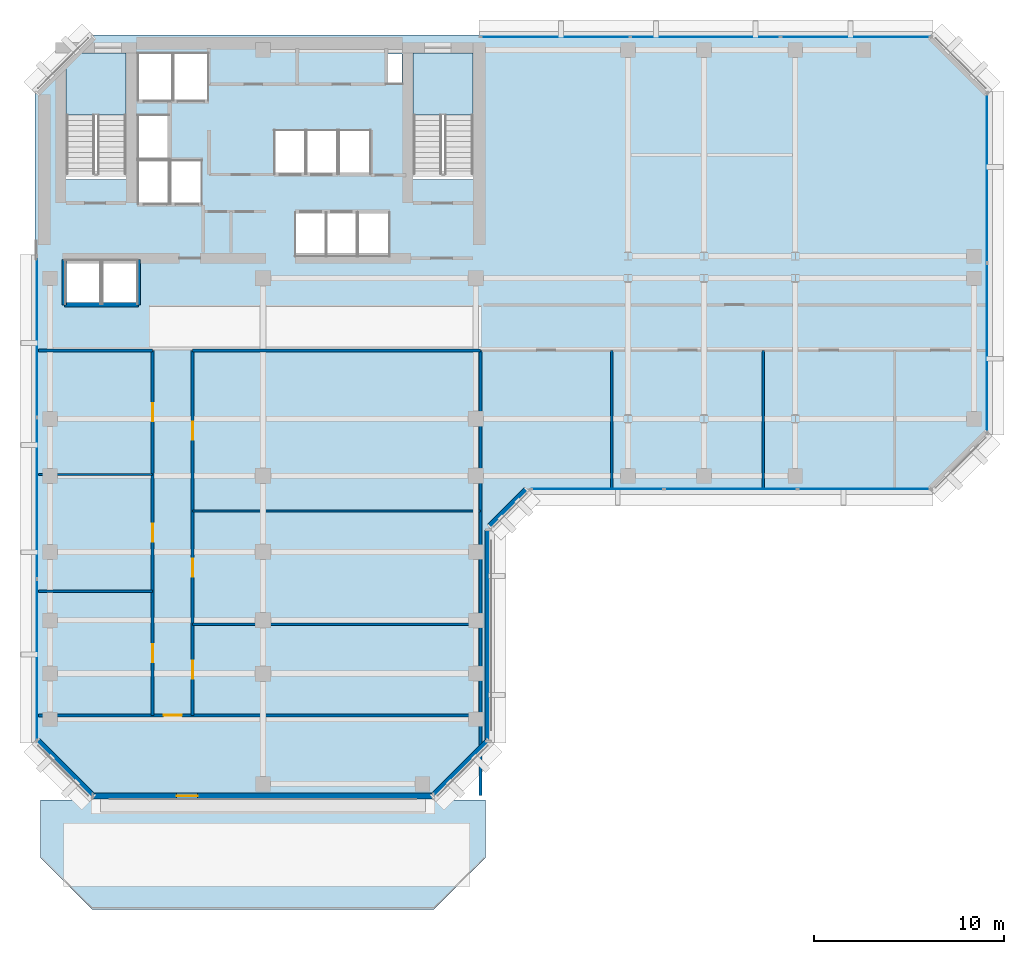
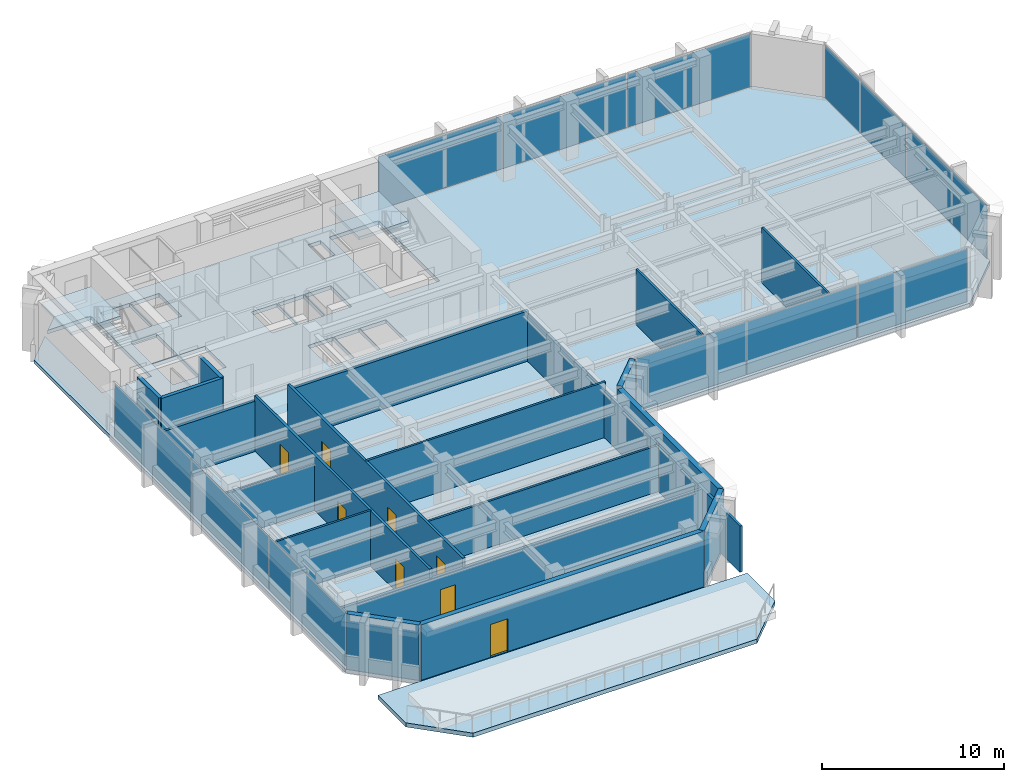
# One storey, part 6 of 11: 20 walls, 11 plates, 8 doors, 4 slabs, 8 openings, 6 elements without a shape of their own.
"""IFC4 building model written with IfcOpenShell, lengths in metres."""

from ifc_helpers import new_model, si_unit, direction, frame, frame_2d, origin, origin_2d, place, context, subcontext, project, spatial, polyline, rectangle, outline, extrude, material, layer, layer_set, type_object, element, fill, aggregate, save


model = new_model("IFC4")

# Units and contexts
model_context = context("Model", 3, precision=1e-05, world=origin(), true_north=direction((0.0, 1.0)))
body_context = subcontext(model_context, "Body", "Model", "MODEL_VIEW")
ifc_project = project(units=[si_unit("LENGTHUNIT", "METRE"), si_unit("AREAUNIT", "SQUARE_METRE"), si_unit("VOLUMEUNIT", "CUBIC_METRE"), si_unit("PLANEANGLEUNIT", "RADIAN"), si_unit("MASSUNIT", "GRAM", prefix="KILO")], contexts=[model_context])

# Site, building, storey
site_placement = place(None, origin())
site = spatial("IfcSite", under=ifc_project, at=site_placement, CompositionType="ELEMENT")
building_placement = place(site_placement, origin())
building = spatial("IfcBuilding", under=site, at=building_placement, Name="Kefirva Bronze Tower", CompositionType="ELEMENT")
storey_placement = place(building_placement, frame((0.0, 0.0, 191.39990234375)))
storey = spatial("IfcBuildingStorey", under=building, at=storey_placement, Name="L46", CompositionType="ELEMENT", Elevation=191.39990234375)

# Slab
ifc_material_1 = material(Name="Concrete C40/50", Category="concrete")
ifc_layer_1 = layer(ifc_material_1, 0.280029296875, Name="Concrete C40/50")
ifc_layer_set_1 = layer_set([ifc_layer_1], Name="Concrete C40/50")
slab_type_1 = type_object("IfcSlabType", Name="RC Setback Sky-Garden Terrace Slab 280mm", PredefinedType="ROOF", material=ifc_layer_set_1)
slab_1_placement = place(storey_placement, frame((0.0, 0.0, -0.27978515625)))
element("IfcSlab", 1, at=slab_1_placement, inside=storey, type_object=slab_type_1, Name="L46 Planted Sky-Garden Terrace Slab", PredefinedType="ROOF", context=body_context, shape_type="SweptSolid", body=[
    extrude(outline(polyline([(3.0, 0.0), (21.0, 0.0), (23.699951171875, 2.699951171875), (23.699951171875, 5.75), (0.300048828125, 5.75), (0.300048828125, 2.699951171875), (3.0, 0.0)])), origin(), (0.0, 0.0, 1.0), 0.27978515625),
])

# Stair, slab
stair_type = type_object("IfcStairType", Name="RC Dogleg Protected Stair 24R", PredefinedType="HALF_TURN_STAIR", material=ifc_material_1)
stair_1_placement = place(storey_placement, origin())
stair_1 = element("IfcStair", 2, at=stair_1_placement, inside=storey, type_object=stair_type, Name="L46 Protected Exit Stair 1", PredefinedType="HALF_TURN_STAIR")
ifc_layer_2 = layer(ifc_material_1, 0.199951171875, Name="Concrete C40/50")
ifc_layer_set_2 = layer_set([ifc_layer_2], Name="Concrete C40/50")
slab_type_2 = type_object("IfcSlabType", Name="RC Stair Landing Slab 200mm", PredefinedType="LANDING", material=ifc_layer_set_2)
slab_2_placement = place(storey_placement, frame((0.0, 0.0, 1.780029296875)))
slab_2 = element("IfcSlab", 3, at=slab_2_placement, type_object=slab_type_2, Name="ST-1 landing 1", PredefinedType="LANDING", context=body_context, shape_type="SweptSolid", body=[
    extrude(outline(polyline([(4.800048828125, 41.780029296875), (4.800048828125, 45.050048828125), (1.64990234375, 45.050048828125), (1.64990234375, 41.780029296875), (4.800048828125, 41.780029296875)])), origin(), (0.0, 0.0, 1.0), 0.199951171875),
])
aggregate(stair_1, [slab_2])

stair_2_placement = place(storey_placement, origin())
stair_2 = element("IfcStair", 4, at=stair_2_placement, inside=storey, type_object=stair_type, Name="L46 Protected Exit Stair 2", PredefinedType="HALF_TURN_STAIR")
slab_3_placement = place(storey_placement, frame((0.0, 0.0, 1.780029296875)))
slab_3 = element("IfcSlab", 5, at=slab_3_placement, type_object=slab_type_2, Name="ST-2 landing 1", PredefinedType="LANDING", context=body_context, shape_type="SweptSolid", body=[
    extrude(outline(polyline([(23.050048828125, 41.780029296875), (23.050048828125, 45.050048828125), (19.89990234375, 45.050048828125), (19.89990234375, 41.780029296875), (23.050048828125, 41.780029296875)])), origin(), (0.0, 0.0, 1.0), 0.199951171875),
])
aggregate(stair_2, [slab_3])

# Slab
ifc_layer_3 = layer(ifc_material_1, 0.25, Name="Concrete C40/50")
ifc_layer_set_3 = layer_set([ifc_layer_3], Name="Concrete C40/50")
slab_type_3 = type_object("IfcSlabType", Name="RC Tower Floor Slab 250mm", PredefinedType="FLOOR", material=ifc_layer_set_3)
slab_4_placement = place(storey_placement, frame((0.0, 0.0, -0.25)))
element("IfcSlab", 6, at=slab_4_placement, inside=storey, type_object=slab_type_3, Name="L46 Structural Floor Slab", PredefinedType="FLOOR", context=body_context, shape_type="SweptSolid", body=[
    extrude(outline(polyline([(0.0, 8.800048828125), (0.0, 43.0), (1.64990234375, 44.64990234375), (1.64990234375, 38.39990234375), (4.800048828125, 38.39990234375), (4.800048828125, 45.050048828125), (2.050048828125, 45.050048828125), (3.0, 46.0), (47.199951171875, 46.0), (50.199951171875, 43.0), (50.199951171875, 25.0), (47.199951171875, 22.0), (26.0, 22.0), (24.0, 20.0), (24.0, 8.800048828125), (21.0, 5.800048828125), (3.0, 5.800048828125), (0.0, 8.800048828125)]), holes=[polyline([(23.050048828125, 38.39990234375), (23.050048828125, 45.050048828125), (19.89990234375, 45.050048828125), (19.89990234375, 38.39990234375), (23.050048828125, 38.39990234375)]), polyline([(19.320068359375, 43.419921875), (19.320068359375, 45.0), (18.52001953125, 45.0), (18.52001953125, 43.419921875), (19.320068359375, 43.419921875)]), polyline([(18.64990234375, 34.35009765625), (18.64990234375, 36.64990234375), (17.0, 36.64990234375), (17.0, 34.35009765625), (18.64990234375, 34.35009765625)]), polyline([(17.64990234375, 38.679931640625), (17.64990234375, 40.97998046875), (16.0, 40.97998046875), (16.0, 38.679931640625), (17.64990234375, 38.679931640625)]), polyline([(16.949951171875, 34.35009765625), (16.949951171875, 36.64990234375), (15.35009765625, 36.64990234375), (15.35009765625, 34.35009765625), (16.949951171875, 34.35009765625)]), polyline([(15.929931640625, 38.679931640625), (15.929931640625, 40.97998046875), (14.300048828125, 40.97998046875), (14.300048828125, 38.679931640625), (15.929931640625, 38.679931640625)]), polyline([(15.300048828125, 34.35009765625), (15.300048828125, 36.64990234375), (13.699951171875, 36.64990234375), (13.699951171875, 34.35009765625), (15.300048828125, 34.35009765625)]), polyline([(14.22998046875, 38.679931640625), (14.22998046875, 40.97998046875), (12.60009765625, 40.97998046875), (12.60009765625, 38.679931640625), (14.22998046875, 38.679931640625)]), polyline([(9.1201171875, 42.550048828125), (9.1201171875, 45.050048828125), (7.300048828125, 45.050048828125), (7.300048828125, 42.550048828125), (9.1201171875, 42.550048828125)]), polyline([(8.780029296875, 37.10009765625), (8.780029296875, 39.39990234375), (7.139892578125, 39.39990234375), (7.139892578125, 37.10009765625), (8.780029296875, 37.10009765625)]), polyline([(7.239990234375, 42.550048828125), (7.239990234375, 45.050048828125), (5.419921875, 45.050048828125), (5.419921875, 42.550048828125), (7.239990234375, 42.550048828125)]), polyline([(7.06005859375, 37.10009765625), (7.06005859375, 39.39990234375), (5.419921875, 39.39990234375), (5.419921875, 37.10009765625), (7.06005859375, 37.10009765625)]), polyline([(7.06005859375, 39.47998046875), (7.06005859375, 41.780029296875), (5.419921875, 41.780029296875), (5.419921875, 39.47998046875), (7.06005859375, 39.47998046875)]), polyline([(5.39990234375, 31.85009765625), (5.39990234375, 34.14990234375), (3.550048828125, 34.14990234375), (3.550048828125, 31.85009765625), (5.39990234375, 31.85009765625)]), polyline([(3.449951171875, 31.85009765625), (3.449951171875, 34.14990234375), (1.60009765625, 34.14990234375), (1.60009765625, 31.85009765625), (3.449951171875, 31.85009765625)])]), origin(), (0.0, 0.0, 1.0), 0.25),
])

# Curtain wall, plates
ifc_material_2 = material(Name="Bronze anodised aluminium", Category="aluminium")
ifc_layer_4 = layer(ifc_material_2, 0.179931640625, Name="Bronze anodised aluminium")
ifc_layer_set_4 = layer_set([ifc_layer_4], Name="Bronze anodised aluminium")
curtain_wall_type = type_object("IfcCurtainWallType", Name="Unitised Bronze Ribbon Curtain Wall Zone 3", PredefinedType="USERDEFINED", material=ifc_layer_set_4)
curtain_wall_1_placement = place(storey_placement, origin())
curtain_wall_1 = element("IfcCurtainWall", 7, at=curtain_wall_1_placement, inside=storey, type_object=curtain_wall_type, Name="L46 Curtain Wall 1", ObjectType="UNITISED CURTAIN WALL", PredefinedType="USERDEFINED")
ifc_material_3 = material(Name="Laminated low-E double glazing", Category="glass")
ifc_layer_5 = layer(ifc_material_3, 0.031982421875, Name="Laminated low-E double glazing")
ifc_layer_set_5 = layer_set([ifc_layer_5], Name="Laminated low-E double glazing")
plate_type = type_object("IfcPlateType", Name="Solar-Control Low-E Vision Panel 32mm", PredefinedType="CURTAIN_PANEL", material=ifc_layer_set_5)
plate_1_placement = place(storey_placement, frame((29.5888671875, 22.1201171875, 0.074951171875), z_axis=(0.0, 0.0, 1.0), x_axis=(1.0, 0.0, 0.0)))
plate_1 = element("IfcPlate", 8, at=plate_1_placement, type_object=plate_type, Name="CW-03 panel 1.1", PredefinedType="CURTAIN_PANEL", context=body_context, shape_type="SweptSolid", body=[
    extrude(rectangle(XDim=6.91748046875, YDim=0.031982421875, at=origin_2d()), origin(), (0.0, 0.0, 1.0), 3.56005859375),
])
plate_2_placement = place(storey_placement, frame((36.60009765625, 22.1201171875, 0.074951171875), z_axis=(0.0, 0.0, 1.0), x_axis=(1.0, 0.0, 0.0)))
plate_2 = element("IfcPlate", 9, at=plate_2_placement, type_object=plate_type, Name="CW-03 panel 2.1", PredefinedType="CURTAIN_PANEL", context=body_context, shape_type="SweptSolid", body=[
    extrude(rectangle(XDim=6.955078125, YDim=0.031982421875, at=origin_2d()), origin(), (0.0, 0.0, 1.0), 3.56005859375),
])
plate_3_placement = place(storey_placement, frame((43.611328125, 22.1201171875, 0.074951171875), z_axis=(0.0, 0.0, 1.0), x_axis=(1.0, 0.0, 0.0)))
plate_3 = element("IfcPlate", 10, at=plate_3_placement, type_object=plate_type, Name="CW-03 panel 3.1", PredefinedType="CURTAIN_PANEL", context=body_context, shape_type="SweptSolid", body=[
    extrude(rectangle(XDim=6.91748046875, YDim=0.031982421875, at=origin_2d()), origin(), (0.0, 0.0, 1.0), 3.56005859375),
])
aggregate(curtain_wall_1, [plate_1, plate_2, plate_3])

curtain_wall_2_placement = place(storey_placement, origin())
curtain_wall_2 = element("IfcCurtainWall", 11, at=curtain_wall_2_placement, inside=storey, type_object=curtain_wall_type, Name="L46 Curtain Wall 2", ObjectType="UNITISED CURTAIN WALL", PredefinedType="USERDEFINED")
plate_4_placement = place(storey_placement, frame((50.080078125, 29.546142578125, 0.074951171875), z_axis=(0.0, 0.0, 1.0), x_axis=(0.0, 1.0, 0.0)))
plate_4 = element("IfcPlate", 12, at=plate_4_placement, type_object=plate_type, Name="CW-03 panel 1.1", PredefinedType="CURTAIN_PANEL", context=body_context, shape_type="SweptSolid", body=[
    extrude(rectangle(XDim=8.83251953125, YDim=0.031982421875, at=origin_2d()), origin(), (0.0, 0.0, 1.0), 3.56005859375),
])
plate_5_placement = place(storey_placement, frame((50.080078125, 38.453857421875, 0.074951171875), z_axis=(0.0, 0.0, 1.0), x_axis=(0.0, 1.0, 0.0)))
plate_5 = element("IfcPlate", 13, at=plate_5_placement, type_object=plate_type, Name="CW-03 panel 2.1", PredefinedType="CURTAIN_PANEL", context=body_context, shape_type="SweptSolid", body=[
    extrude(rectangle(XDim=8.83251953125, YDim=0.031982421875, at=origin_2d()), origin(), (0.0, 0.0, 1.0), 3.56005859375),
])
aggregate(curtain_wall_2, [plate_4, plate_5])

curtain_wall_3_placement = place(storey_placement, origin())
curtain_wall_3 = element("IfcCurtainWall", 14, at=curtain_wall_3_placement, inside=storey, type_object=curtain_wall_type, Name="L46 Curtain Wall 3", ObjectType="UNITISED CURTAIN WALL", PredefinedType="USERDEFINED")
plate_6_placement = place(storey_placement, frame((43.169677734375, 45.8798828125, 0.074951171875), z_axis=(0.0, 0.0, 1.0), x_axis=(-1.0, 0.0, 0.0)))
plate_6 = element("IfcPlate", 15, at=plate_6_placement, type_object=plate_type, Name="CW-03 panel 1.1", PredefinedType="CURTAIN_PANEL", context=body_context, shape_type="SweptSolid", body=[
    extrude(rectangle(XDim=7.80078125, YDim=0.031982421875, at=origin_2d()), origin(), (0.0, 0.0, 1.0), 3.56005859375),
])
plate_7_placement = place(storey_placement, frame((35.27490234375, 45.8798828125, 0.074951171875), z_axis=(0.0, 0.0, 1.0), x_axis=(-1.0, 0.0, 0.0)))
plate_7 = element("IfcPlate", 16, at=plate_7_placement, type_object=plate_type, Name="CW-03 panel 2.1", PredefinedType="CURTAIN_PANEL", context=body_context, shape_type="SweptSolid", body=[
    extrude(rectangle(XDim=7.83837890625, YDim=0.031982421875, at=origin_2d()), origin(), (0.0, 0.0, 1.0), 3.56005859375),
])
plate_8_placement = place(storey_placement, frame((27.38037109375, 45.8798828125, 0.074951171875), z_axis=(0.0, 0.0, 1.0), x_axis=(-1.0, 0.0, 0.0)))
plate_8 = element("IfcPlate", 17, at=plate_8_placement, type_object=plate_type, Name="CW-03 panel 3.1", PredefinedType="CURTAIN_PANEL", context=body_context, shape_type="SweptSolid", body=[
    extrude(rectangle(XDim=7.80078125, YDim=0.031982421875, at=origin_2d()), origin(), (0.0, 0.0, 1.0), 3.56005859375),
])
aggregate(curtain_wall_3, [plate_6, plate_7, plate_8])

curtain_wall_4_placement = place(storey_placement, origin())
curtain_wall_4 = element("IfcCurtainWall", 18, at=curtain_wall_4_placement, inside=storey, type_object=curtain_wall_type, Name="L46 Curtain Wall 4", ObjectType="UNITISED CURTAIN WALL", PredefinedType="USERDEFINED")
plate_9_placement = place(storey_placement, frame((0.1201171875, 30.11962890625, 0.074951171875), z_axis=(0.0, 0.0, 1.0), x_axis=(0.0, -1.0, 0.0)))
plate_9 = element("IfcPlate", 19, at=plate_9_placement, type_object=plate_type, Name="CW-03 panel 1.1", PredefinedType="CURTAIN_PANEL", context=body_context, shape_type="SweptSolid", body=[
    extrude(rectangle(XDim=8.40087890625, YDim=0.031982421875, at=origin_2d()), origin(), (0.0, 0.0, 1.0), 3.56005859375),
])
plate_10_placement = place(storey_placement, frame((0.1201171875, 21.625, 0.074951171875), z_axis=(0.0, 0.0, 1.0), x_axis=(0.0, -1.0, 0.0)))
plate_10 = element("IfcPlate", 20, at=plate_10_placement, type_object=plate_type, Name="CW-03 panel 2.1", PredefinedType="CURTAIN_PANEL", context=body_context, shape_type="SweptSolid", body=[
    extrude(rectangle(XDim=8.438232421875, YDim=0.031982421875, at=origin_2d()), origin(), (0.0, 0.0, 1.0), 3.56005859375),
])
plate_11_placement = place(storey_placement, frame((0.1201171875, 13.13037109375, 0.074951171875), z_axis=(0.0, 0.0, 1.0), x_axis=(0.0, -1.0, 0.0)))
plate_11 = element("IfcPlate", 21, at=plate_11_placement, type_object=plate_type, Name="CW-03 panel 3.1", PredefinedType="CURTAIN_PANEL", context=body_context, shape_type="SweptSolid", body=[
    extrude(rectangle(XDim=8.40087890625, YDim=0.031982421875, at=origin_2d()), origin(), (0.0, 0.0, 1.0), 3.56005859375),
])
aggregate(curtain_wall_4, [plate_9, plate_10, plate_11])

# Walls
ifc_material_4 = material(Name="Gypsum acoustic partition")
ifc_layer_6 = layer(ifc_material_4, 0.1298828125, Name="Gypsum acoustic partition")
ifc_layer_set_6 = layer_set([ifc_layer_6], Name="Gypsum acoustic partition")
wall_type_1 = type_object("IfcWallType", Name="Acoustic Office Partition 130mm", PredefinedType="PARTITIONING", material=ifc_layer_set_6)
wall_1_placement = place(storey_placement, frame((0.18994140625, 16.72802734375, 0.0), z_axis=(0.0, 0.0, 1.0), x_axis=(1.0, 0.0, 0.0)))
element("IfcWall", 22, at=wall_1_placement, inside=storey, type_object=wall_type_1, Name="L46 Partition W-L46-SWD1", PredefinedType="PARTITIONING", context=body_context, shape_type="SweptSolid", body=[
    extrude(rectangle(XDim=6.010009765625, YDim=0.1298828125, at=frame_2d((3.0048828125, 0.0))), origin(), (0.0, 0.0, 1.0), 3.710205078125),
])
wall_2_placement = place(storey_placement, frame((0.18994140625, 22.8720703125, 0.0), z_axis=(0.0, 0.0, 1.0), x_axis=(1.0, 0.0, 0.0)))
element("IfcWall", 23, at=wall_2_placement, inside=storey, type_object=wall_type_1, Name="L46 Partition W-L46-SWD2", PredefinedType="PARTITIONING", context=body_context, shape_type="SweptSolid", body=[
    extrude(rectangle(XDim=6.010009765625, YDim=0.1298828125, at=frame_2d((3.0048828125, 0.0))), origin(), (0.0, 0.0, 1.0), 3.09521484375),
])
wall_3_placement = place(storey_placement, frame((8.300048828125, 15.0, 0.0), z_axis=(0.0, 0.0, 1.0), x_axis=(1.0, 0.0, 0.0)))
element("IfcWall", 24, at=wall_3_placement, inside=storey, type_object=wall_type_1, Name="L46 Partition W-L46-SED1", PredefinedType="PARTITIONING", context=body_context, shape_type="SweptSolid", body=[
    extrude(rectangle(XDim=15.14990234375, YDim=0.1298828125, at=frame_2d((7.574951171875, 0.0))), origin(), (0.0, 0.0, 1.0), 3.09521484375),
])
wall_4_placement = place(storey_placement, frame((8.300048828125, 20.951904296875, 0.0), z_axis=(0.0, 0.0, 1.0), x_axis=(1.0, 0.0, 0.0)))
element("IfcWall", 25, at=wall_4_placement, inside=storey, type_object=wall_type_1, Name="L46 Partition W-L46-SED2", PredefinedType="PARTITIONING", context=body_context, shape_type="SweptSolid", body=[
    extrude(rectangle(XDim=15.14990234375, YDim=0.1298828125, at=frame_2d((7.574951171875, 0.0))), origin(), (0.0, 0.0, 1.0), 3.710205078125),
])
for number, where, z_axis, x_axis, name in (
    (26, (30.355712890625, 22.18994140625, 0.0), (0.0, 0.0, 1.0), (0.0, 1.0, 0.0), "L46 Partition W-L46-ESD1"),
    (27, (38.323486328125, 22.18994140625, 0.0), (0.0, 0.0, 1.0), (0.0, 1.0, 0.0), "L46 Partition W-L46-ESD2"),
):
    element("IfcWall", number, at=place(storey_placement, frame(where, z_axis=z_axis, x_axis=x_axis)), inside=storey, type_object=wall_type_1, Name=name, PredefinedType="PARTITIONING", context=body_context, shape_type="SweptSolid", body=[
        extrude(rectangle(XDim=7.2099609375, YDim=0.1298828125, at=frame_2d((3.60498046875, 0.0))), origin(), (0.0, 0.0, 1.0), 3.710205078125),
    ])
ifc_material_5 = material(Name="Gypsum fireboard shaftwall")
ifc_layer_7 = layer(ifc_material_5, 0.219970703125, Name="Gypsum fireboard shaftwall")
ifc_layer_set_7 = layer_set([ifc_layer_7], Name="Gypsum fireboard shaftwall")
wall_type_2 = type_object("IfcWallType", Name="Fire-Rated Shaft Enclosure Wall 220mm", PredefinedType="PARTITIONING", material=ifc_layer_set_7)
wall_5_placement = place(storey_placement, frame((1.550048828125, 31.800048828125, 0.0), z_axis=(0.0, 0.0, 1.0), x_axis=(1.0, 0.0, 0.0)))
element("IfcWall", 28, at=wall_5_placement, inside=storey, type_object=wall_type_2, Name="L46 Partition W-L46-OBS", PredefinedType="PARTITIONING", context=body_context, shape_type="SweptSolid", body=[
    extrude(rectangle(XDim=3.89990234375, YDim=0.219970703125, at=frame_2d((1.949951171875, 0.0))), origin(), (0.0, 0.0, 1.0), 3.710205078125),
])
for number, where, z_axis, x_axis, name in (
    (29, (1.550048828125, 31.800048828125, 0.0), (0.0, 0.0, 1.0), (0.0, 1.0, 0.0), "L46 Partition W-L46-OBW"),
    (30, (5.449951171875, 31.800048828125, 0.0), (0.0, 0.0, 1.0), (0.0, 1.0, 0.0), "L46 Partition W-L46-OBE"),
):
    element("IfcWall", number, at=place(storey_placement, frame(where, z_axis=z_axis, x_axis=x_axis)), inside=storey, type_object=wall_type_2, Name=name, PredefinedType="PARTITIONING", context=body_context, shape_type="SweptSolid", body=[
        extrude(rectangle(XDim=2.3798828125, YDim=0.219970703125, at=frame_2d((1.18994140625, 0.0))), origin(), (0.0, 0.0, 1.0), 3.710205078125),
    ])

# Wall, opening, door
ifc_material_6 = material(Name="Precast concrete C40/50", Category="concrete")
ifc_layer_8 = layer(ifc_material_6, 0.320068359375, Name="Precast concrete C40/50")
ifc_layer_set_8 = layer_set([ifc_layer_8], Name="Precast concrete C40/50")
wall_type_3 = type_object("IfcWallType", Name="Precast Insulated Exterior Wall 320mm", PredefinedType="SOLIDWALL", material=ifc_layer_set_8)
wall_6_placement = place(storey_placement, frame((3.054931640625, 5.9599609375, 0.0), z_axis=(0.0, 0.0, 1.0), x_axis=(1.0, 0.0, 0.0)))
wall_6 = element("IfcWall", 31, at=wall_6_placement, inside=storey, type_object=wall_type_3, Name="L46 Exterior Facade Wall 1", PredefinedType="SOLIDWALL", context=body_context, shape_type="SweptSolid", body=[
    extrude(rectangle(XDim=17.89013671875, YDim=0.320068359375, at=frame_2d((8.945068359375, 0.0))), origin(), (0.0, 0.0, 1.0), 3.710205078125),
])
opening_1_placement = place(wall_6_placement, frame((5.50927734375, 0.0, 0.0), z_axis=(0.0, 0.0, 1.0), x_axis=(-1.0, 0.0, 0.0)))
opening_1 = element("IfcOpeningElement", 32, at=opening_1_placement, cuts=wall_6, Name="Opening D-TR1", PredefinedType="OPENING", context=body_context, shape_type="SweptSolid", body=[
    extrude(rectangle(XDim=1.10009765625, YDim=2.199951171875, at=frame_2d((0.550048828125, 1.10009765625))), frame((0.0, 0.169921875, 0.0), z_axis=(0.0, -1.0, 0.0), x_axis=(1.0, 0.0, 0.0)), (0.0, 0.0, 1.0), 0.340087890625),
])
door_type_1 = type_object("IfcDoorType", Name="Exterior Sky-Terrace Glazed Door 1100x2200", OperationType="NOTDEFINED", PredefinedType="DOOR", material=ifc_material_2)
door_1_placement = place(opening_1_placement, origin())
door_1 = element("IfcDoor", 33, at=door_1_placement, inside=storey, type_object=door_type_1, Name="L46 Sky-Garden Terrace Access Door", OperationType="SINGLE_SWING_LEFT", OverallHeight=2.199951171875, OverallWidth=1.10009765625, PredefinedType="DOOR", context=body_context, shape_type="SweptSolid", body=[
    extrude(rectangle(XDim=1.10009765625, YDim=2.199951171875, at=frame_2d((0.550048828125, 1.10009765625))), frame((0.0, 0.02490234375, 0.0), z_axis=(0.0, -1.0, 0.0), x_axis=(1.0, 0.0, 0.0)), (0.0, 0.0, 1.0), 0.050048828125),
])
fill(opening_1, door_1)

# Walls
wall_7_placement = place(storey_placement, frame((20.92578125, 5.951904296875, 0.0), z_axis=(0.0, 0.0, 1.0), x_axis=(0.707077242712, 0.707136318428, 0.0)))
element("IfcWall", 34, at=wall_7_placement, inside=storey, type_object=wall_type_3, Name="L46 Exterior Facade Wall 2", PredefinedType="SOLIDWALL", context=body_context, shape_type="SweptSolid", body=[
    extrude(rectangle(XDim=4.132568359375, YDim=0.320068359375, at=frame_2d((2.06640625, 0.0))), origin(), (0.0, 0.0, 1.0), 3.710205078125),
])
wall_8_placement = place(storey_placement, frame((23.840087890625, 8.85498046875, 0.0), z_axis=(0.0, 0.0, 1.0), x_axis=(0.0, 1.0, 0.0)))
element("IfcWall", 35, at=wall_8_placement, inside=storey, type_object=wall_type_3, Name="L46 Exterior Facade Wall 3", PredefinedType="SOLIDWALL", context=body_context, shape_type="SweptSolid", body=[
    extrude(rectangle(XDim=11.090087890625, YDim=0.320068359375, at=frame_2d((5.544921875, 0.0))), origin(), (0.0, 0.0, 1.0), 3.710205078125),
])
wall_9_placement = place(storey_placement, frame((23.92578125, 20.152099609375, 0.0), z_axis=(0.0, 0.0, 1.0), x_axis=(0.707106781187, 0.707106781187, 0.0)))
element("IfcWall", 36, at=wall_9_placement, inside=storey, type_object=wall_type_3, Name="L46 Exterior Facade Wall 4", PredefinedType="SOLIDWALL", context=body_context, shape_type="SweptSolid", body=[
    extrude(rectangle(XDim=2.71826171875, YDim=0.320068359375, at=frame_2d((1.359130859375, 0.0))), origin(), (0.0, 0.0, 1.0), 3.710205078125),
])
wall_10_placement = place(storey_placement, frame((0.152099609375, 8.874267578125, 0.0), z_axis=(0.0, 0.0, 1.0), x_axis=(0.707077242712, -0.707136318428, 0.0)))
element("IfcWall", 37, at=wall_10_placement, inside=storey, type_object=wall_type_3, Name="L46 Exterior Facade Wall 8", PredefinedType="SOLIDWALL", context=body_context, shape_type="SweptSolid", body=[
    extrude(rectangle(XDim=4.132568359375, YDim=0.320068359375, at=frame_2d((2.06640625, 0.0))), origin(), (0.0, 0.0, 1.0), 3.710205078125),
])

# Wall, openings, doors
ifc_layer_9 = layer(ifc_material_4, 0.159912109375, Name="Gypsum acoustic partition")
ifc_layer_set_9 = layer_set([ifc_layer_9], Name="Gypsum acoustic partition")
wall_type_4 = type_object("IfcWallType", Name="Protected Corridor Partition 160mm", PredefinedType="PARTITIONING", material=ifc_layer_set_9)
wall_11_placement = place(storey_placement, frame((6.199951171875, 10.199951171875, 0.0), z_axis=(0.0, 0.0, 1.0), x_axis=(0.0, 1.0, 0.0)))
wall_11 = element("IfcWall", 38, at=wall_11_placement, inside=storey, type_object=wall_type_4, Name="L46 Partition W-L46-SWCORW", PredefinedType="PARTITIONING", context=body_context, shape_type="SweptSolid", body=[
    extrude(rectangle(XDim=19.199951171875, YDim=0.159912109375, at=frame_2d((9.60009765625, 0.0))), origin(), (0.0, 0.0, 1.0), 3.710205078125),
])
opening_2_placement = place(wall_11_placement, frame((3.739013671875, 0.0, 0.0), z_axis=(0.0, 0.0, 1.0), x_axis=(-1.0, 0.0, 0.0)))
opening_2 = element("IfcOpeningElement", 39, at=opening_2_placement, cuts=wall_11, Name="Opening L46-D-SW1", PredefinedType="OPENING", context=body_context, shape_type="SweptSolid", body=[
    extrude(rectangle(XDim=0.949951171875, YDim=2.14990234375, at=frame_2d((0.47509765625, 1.074951171875))), frame((0.0, 0.08984375, 0.0), z_axis=(0.0, -1.0, 0.0), x_axis=(1.0, 0.0, 0.0)), (0.0, 0.0, 1.0), 0.179931640625),
])
opening_3_placement = place(wall_11_placement, frame((10.074951171875, 0.0, 0.0), z_axis=(0.0, 0.0, 1.0), x_axis=(-1.0, 0.0, 0.0)))
opening_3 = element("IfcOpeningElement", 40, at=opening_3_placement, cuts=wall_11, Name="Opening L46-D-SW2", PredefinedType="OPENING", context=body_context, shape_type="SweptSolid", body=[
    extrude(rectangle(XDim=0.949951171875, YDim=2.14990234375, at=frame_2d((0.47509765625, 1.074951171875))), frame((0.0, 0.08984375, 0.0), z_axis=(0.0, -1.0, 0.0), x_axis=(1.0, 0.0, 0.0)), (0.0, 0.0, 1.0), 0.179931640625),
])
opening_4_placement = place(wall_11_placement, frame((16.410888671875, 0.0, 0.0), z_axis=(0.0, 0.0, 1.0), x_axis=(-1.0, 0.0, 0.0)))
opening_4 = element("IfcOpeningElement", 41, at=opening_4_placement, cuts=wall_11, Name="Opening L46-D-SW3", PredefinedType="OPENING", context=body_context, shape_type="SweptSolid", body=[
    extrude(rectangle(XDim=0.949951171875, YDim=2.14990234375, at=frame_2d((0.47509765625, 1.074951171875))), frame((0.0, 0.08984375, 0.0), z_axis=(0.0, -1.0, 0.0), x_axis=(1.0, 0.0, 0.0)), (0.0, 0.0, 1.0), 0.179931640625),
])
ifc_material_7 = material(Name="Acoustic hardwood oak", Category="wood")
door_type_2 = type_object("IfcDoorType", Name="Office & Meeting Room Door 950x2150", OperationType="NOTDEFINED", PredefinedType="DOOR", material=ifc_material_7)
door_2_placement = place(opening_2_placement, origin())
door_2 = element("IfcDoor", 42, at=door_2_placement, inside=storey, type_object=door_type_2, Name="Door L46-D-SW1", OperationType="SINGLE_SWING_LEFT", OverallHeight=2.14990234375, OverallWidth=0.949951171875, PredefinedType="DOOR", context=body_context, shape_type="SweptSolid", body=[
    extrude(rectangle(XDim=0.949951171875, YDim=2.14990234375, at=frame_2d((0.47509765625, 1.074951171875))), frame((0.0, 0.02490234375, 0.0), z_axis=(0.0, -1.0, 0.0), x_axis=(1.0, 0.0, 0.0)), (0.0, 0.0, 1.0), 0.050048828125),
])
fill(opening_2, door_2)
door_3_placement = place(opening_3_placement, origin())
door_3 = element("IfcDoor", 43, at=door_3_placement, inside=storey, type_object=door_type_2, Name="Door L46-D-SW2", OperationType="SINGLE_SWING_RIGHT", OverallHeight=2.14990234375, OverallWidth=0.949951171875, PredefinedType="DOOR", context=body_context, shape_type="SweptSolid", body=[
    extrude(rectangle(XDim=0.949951171875, YDim=2.14990234375, at=frame_2d((0.47509765625, 1.074951171875))), frame((0.0, 0.02490234375, 0.0), z_axis=(0.0, -1.0, 0.0), x_axis=(1.0, 0.0, 0.0)), (0.0, 0.0, 1.0), 0.050048828125),
])
fill(opening_3, door_3)
door_4_placement = place(opening_4_placement, origin())
door_4 = element("IfcDoor", 44, at=door_4_placement, inside=storey, type_object=door_type_2, Name="Door L46-D-SW3", OperationType="SINGLE_SWING_LEFT", OverallHeight=2.14990234375, OverallWidth=0.949951171875, PredefinedType="DOOR", context=body_context, shape_type="SweptSolid", body=[
    extrude(rectangle(XDim=0.949951171875, YDim=2.14990234375, at=frame_2d((0.47509765625, 1.074951171875))), frame((0.0, 0.02490234375, 0.0), z_axis=(0.0, -1.0, 0.0), x_axis=(1.0, 0.0, 0.0)), (0.0, 0.0, 1.0), 0.050048828125),
])
fill(opening_4, door_4)

wall_12_placement = place(storey_placement, frame((8.300048828125, 10.199951171875, 0.0), z_axis=(0.0, 0.0, 1.0), x_axis=(0.0, 1.0, 0.0)))
wall_12 = element("IfcWall", 45, at=wall_12_placement, inside=storey, type_object=wall_type_4, Name="L46 Partition W-L46-SECORE", PredefinedType="PARTITIONING", context=body_context, shape_type="SweptSolid", body=[
    extrude(rectangle(XDim=19.199951171875, YDim=0.159912109375, at=frame_2d((9.60009765625, 0.0))), origin(), (0.0, 0.0, 1.0), 3.710205078125),
])
opening_5_placement = place(wall_12_placement, frame((1.925048828125, 0.0, 0.0)))
opening_5 = element("IfcOpeningElement", 46, at=opening_5_placement, cuts=wall_12, Name="Opening L46-D-SE1", PredefinedType="OPENING", context=body_context, shape_type="SweptSolid", body=[
    extrude(rectangle(XDim=0.949951171875, YDim=2.14990234375, at=frame_2d((0.47509765625, 1.074951171875))), frame((0.0, 0.08984375, 0.0), z_axis=(0.0, -1.0, 0.0), x_axis=(1.0, 0.0, 0.0)), (0.0, 0.0, 1.0), 0.179931640625),
])
opening_6_placement = place(wall_12_placement, frame((7.301025390625, 0.0, 0.0)))
opening_6 = element("IfcOpeningElement", 47, at=opening_6_placement, cuts=wall_12, Name="Opening L46-D-SE2", PredefinedType="OPENING", context=body_context, shape_type="SweptSolid", body=[
    extrude(rectangle(XDim=0.949951171875, YDim=2.14990234375, at=frame_2d((0.47509765625, 1.074951171875))), frame((0.0, 0.08984375, 0.0), z_axis=(0.0, -1.0, 0.0), x_axis=(1.0, 0.0, 0.0)), (0.0, 0.0, 1.0), 0.179931640625),
])
opening_7_placement = place(wall_12_placement, frame((14.5009765625, 0.0, 0.0)))
opening_7 = element("IfcOpeningElement", 48, at=opening_7_placement, cuts=wall_12, Name="Opening L46-D-SE3", PredefinedType="OPENING", context=body_context, shape_type="SweptSolid", body=[
    extrude(rectangle(XDim=0.949951171875, YDim=2.14990234375, at=frame_2d((0.47509765625, 1.074951171875))), frame((0.0, 0.08984375, 0.0), z_axis=(0.0, -1.0, 0.0), x_axis=(1.0, 0.0, 0.0)), (0.0, 0.0, 1.0), 0.179931640625),
])
door_5_placement = place(opening_5_placement, origin())
door_5 = element("IfcDoor", 49, at=door_5_placement, inside=storey, type_object=door_type_2, Name="Door L46-D-SE1", OperationType="SINGLE_SWING_RIGHT", OverallHeight=2.14990234375, OverallWidth=0.949951171875, PredefinedType="DOOR", context=body_context, shape_type="SweptSolid", body=[
    extrude(rectangle(XDim=0.949951171875, YDim=2.14990234375, at=frame_2d((0.47509765625, 1.074951171875))), frame((0.0, 0.02490234375, 0.0), z_axis=(0.0, -1.0, 0.0), x_axis=(1.0, 0.0, 0.0)), (0.0, 0.0, 1.0), 0.050048828125),
])
fill(opening_5, door_5)
door_6_placement = place(opening_6_placement, origin())
door_6 = element("IfcDoor", 50, at=door_6_placement, inside=storey, type_object=door_type_2, Name="Door L46-D-SE2", OperationType="SINGLE_SWING_LEFT", OverallHeight=2.14990234375, OverallWidth=0.949951171875, PredefinedType="DOOR", context=body_context, shape_type="SweptSolid", body=[
    extrude(rectangle(XDim=0.949951171875, YDim=2.14990234375, at=frame_2d((0.47509765625, 1.074951171875))), frame((0.0, 0.02490234375, 0.0), z_axis=(0.0, -1.0, 0.0), x_axis=(1.0, 0.0, 0.0)), (0.0, 0.0, 1.0), 0.050048828125),
])
fill(opening_6, door_6)
door_7_placement = place(opening_7_placement, origin())
door_7 = element("IfcDoor", 51, at=door_7_placement, inside=storey, type_object=door_type_2, Name="Door L46-D-SE3", OperationType="SINGLE_SWING_RIGHT", OverallHeight=2.14990234375, OverallWidth=0.949951171875, PredefinedType="DOOR", context=body_context, shape_type="SweptSolid", body=[
    extrude(rectangle(XDim=0.949951171875, YDim=2.14990234375, at=frame_2d((0.47509765625, 1.074951171875))), frame((0.0, 0.02490234375, 0.0), z_axis=(0.0, -1.0, 0.0), x_axis=(1.0, 0.0, 0.0)), (0.0, 0.0, 1.0), 0.050048828125),
])
fill(opening_7, door_7)

# Wall, opening, door
wall_13_placement = place(storey_placement, frame((0.18994140625, 10.199951171875, 0.0), z_axis=(0.0, 0.0, 1.0), x_axis=(1.0, 0.0, 0.0)))
wall_13 = element("IfcWall", 52, at=wall_13_placement, inside=storey, type_object=wall_type_4, Name="L46 Partition W-L46-SBEND", PredefinedType="PARTITIONING", context=body_context, shape_type="SweptSolid", body=[
    extrude(rectangle(XDim=23.260009765625, YDim=0.159912109375, at=frame_2d((11.6298828125, 0.0))), origin(), (0.0, 0.0, 1.0), 3.09521484375),
])
opening_8_placement = place(wall_13_placement, frame((6.590087890625, 0.0, 0.0)))
opening_8 = element("IfcOpeningElement", 53, at=opening_8_placement, cuts=wall_13, Name="Opening L46-D-SEND1", PredefinedType="OPENING", context=body_context, shape_type="SweptSolid", body=[
    extrude(rectangle(XDim=0.949951171875, YDim=2.14990234375, at=frame_2d((0.47509765625, 1.074951171875))), frame((0.0, 0.08984375, 0.0), z_axis=(0.0, -1.0, 0.0), x_axis=(1.0, 0.0, 0.0)), (0.0, 0.0, 1.0), 0.179931640625),
])
door_8_placement = place(opening_8_placement, origin())
door_8 = element("IfcDoor", 54, at=door_8_placement, inside=storey, type_object=door_type_2, Name="Door L46-D-SEND1", OperationType="SINGLE_SWING_RIGHT", OverallHeight=2.14990234375, OverallWidth=0.949951171875, PredefinedType="DOOR", context=body_context, shape_type="SweptSolid", body=[
    extrude(rectangle(XDim=0.949951171875, YDim=2.14990234375, at=frame_2d((0.47509765625, 1.074951171875))), frame((0.0, 0.02490234375, 0.0), z_axis=(0.0, -1.0, 0.0), x_axis=(1.0, 0.0, 0.0)), (0.0, 0.0, 1.0), 0.050048828125),
])
fill(opening_8, door_8)

# Walls
wall_14_placement = place(storey_placement, frame((0.18994140625, 29.39990234375, 0.0), z_axis=(0.0, 0.0, 1.0), x_axis=(1.0, 0.0, 0.0)))
element("IfcWall", 55, at=wall_14_placement, inside=storey, type_object=wall_type_4, Name="L46 Partition W-L46-NWT", PredefinedType="PARTITIONING", context=body_context, shape_type="SweptSolid", body=[
    extrude(rectangle(XDim=6.010009765625, YDim=0.159912109375, at=frame_2d((3.0048828125, 0.0))), origin(), (0.0, 0.0, 1.0), 3.364990234375),
])
wall_15_placement = place(storey_placement, frame((8.300048828125, 29.39990234375, 0.0), z_axis=(0.0, 0.0, 1.0), x_axis=(1.0, 0.0, 0.0)))
element("IfcWall", 56, at=wall_15_placement, inside=storey, type_object=wall_type_4, Name="L46 Partition W-L46-NET", PredefinedType="PARTITIONING", context=body_context, shape_type="SweptSolid", body=[
    extrude(rectangle(XDim=15.14990234375, YDim=0.159912109375, at=frame_2d((7.574951171875, 0.0))), origin(), (0.0, 0.0, 1.0), 3.364990234375),
])
wall_16_placement = place(storey_placement, frame((23.449951171875, 5.989990234375, 0.0), z_axis=(0.0, 0.0, 1.0), x_axis=(0.0, 1.0, 0.0)))
element("IfcWall", 57, at=wall_16_placement, inside=storey, type_object=wall_type_4, Name="L46 Partition W-L46-SWEAST", PredefinedType="PARTITIONING", context=body_context, shape_type="SweptSolid", body=[
    extrude(rectangle(XDim=23.409912109375, YDim=0.159912109375, at=frame_2d((11.705078125, 0.0))), origin(), (0.0, 0.0, 1.0), 3.09521484375),
])

save(model, "model.ifc")
